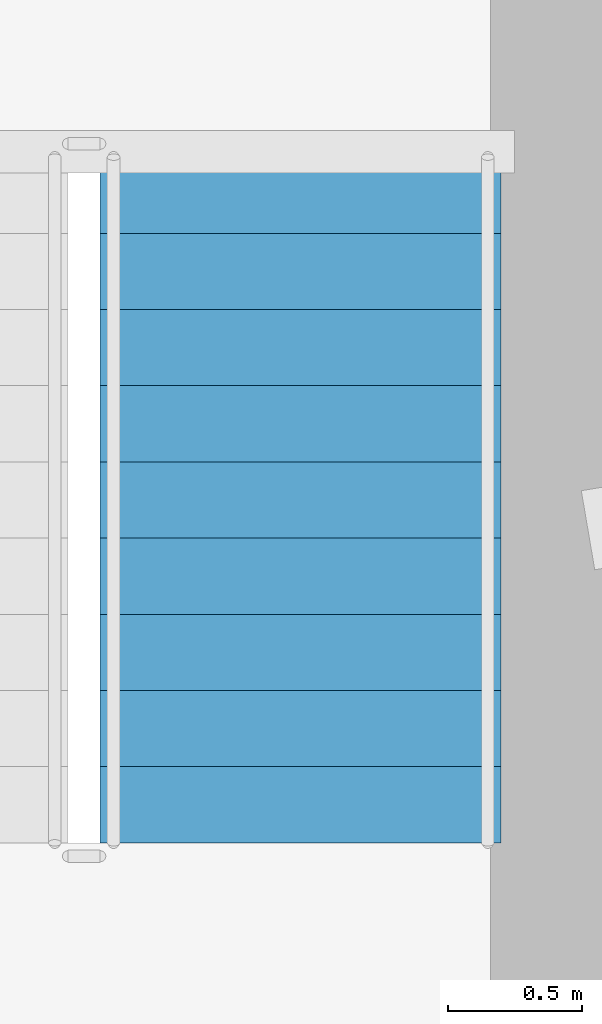
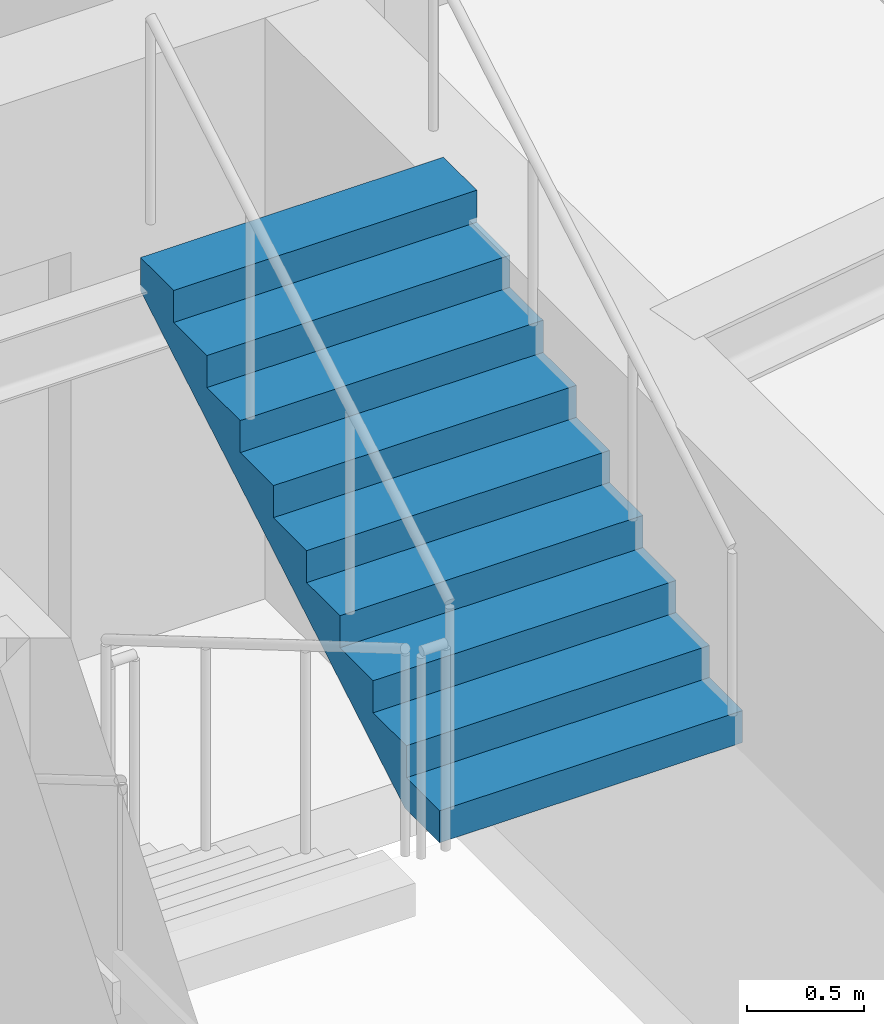
# One storey, part 9 of 11: 1 stair flight, 1 element without a shape of its own.
"""IFC4 building model written with IfcOpenShell, lengths in metres."""

from ifc_helpers import new_model, si_unit, direction, frame, origin, place, context, subcontext, project, spatial, polyline, outline, extrude, material, type_object, element, aggregate, save


model = new_model("IFC4")

# Units and contexts
model_context = context("Model", 3, precision=1e-05, world=origin(), true_north=direction((0.0, 1.0)))
body_context = subcontext(model_context, "Body", "Model", "MODEL_VIEW")
ifc_project = project(units=[si_unit("LENGTHUNIT", "METRE"), si_unit("AREAUNIT", "SQUARE_METRE"), si_unit("VOLUMEUNIT", "CUBIC_METRE"), si_unit("PLANEANGLEUNIT", "RADIAN"), si_unit("MASSUNIT", "GRAM", prefix="KILO")], contexts=[model_context])

# Site, building, storey
site_placement = place(None, origin())
site = spatial("IfcSite", under=ifc_project, at=site_placement, CompositionType="ELEMENT")
building_placement = place(site_placement, origin())
building = spatial("IfcBuilding", under=site, at=building_placement, Name="Qobustan Lattice House", CompositionType="ELEMENT")
storey_placement = place(building_placement, frame((0.0, 0.0, 251.75)))
storey = spatial("IfcBuildingStorey", under=building, at=storey_placement, Name="L71", CompositionType="ELEMENT", Elevation=251.75)

# Stair, stair flight
ifc_material_1 = material(Name="Concrete C40/50", Category="concrete")
stair_type = type_object("IfcStairType", Name="STR-CORE-DOGLEG", PredefinedType="HALF_TURN_STAIR", material=ifc_material_1)
stair_placement = place(storey_placement, origin())
stair = element("IfcStair", 1, at=stair_placement, inside=storey, type_object=stair_type, Name="L71 East protected exit stair ST-E1", PredefinedType="HALF_TURN_STAIR")
ifc_material_2 = material(Name="Concrete C40/50", Category="concrete")
stair_flight_type = type_object("IfcStairFlightType", Name="SFL-RC-1500", PredefinedType="STRAIGHT", material=ifc_material_2)
stair_flight_placement = place(storey_placement, frame((17.5, 0.93505859375, 1.675048828125), z_axis=(0.0, 0.0, 1.0), x_axis=(0.0, 1.0, 0.0)))
stair_flight = element("IfcStairFlight", 2, at=stair_flight_placement, type_object=stair_flight_type, Name="ST-E1 flight 2", NumberOfRisers=10, NumberOfTreads=9, PredefinedType="STRAIGHT", RiserHeight=0.1675, TreadLength=0.285, context=body_context, shape_type="SweptSolid", body=[
    extrude(outline(polyline([(0.0, 0.0), (0.0, 0.16748046875), (0.284912109375, 0.16748046875), (0.284912109375, 0.3349609375), (0.570068359375, 0.3349609375), (0.570068359375, 0.50244140625), (0.85498046875, 0.50244140625), (0.85498046875, 0.669921875), (1.139892578125, 0.669921875), (1.139892578125, 0.83740234375), (1.425048828125, 0.83740234375), (1.425048828125, 1.0048828125), (1.7099609375, 1.0048828125), (1.7099609375, 1.172607421875), (1.9951171875, 1.172607421875), (1.9951171875, 1.340087890625), (2.280029296875, 1.340087890625), (2.280029296875, 1.507568359375), (2.56494140625, 1.507568359375), (2.56494140625, 1.675048828125), (2.56494140625, 1.333740234375), (0.2958984375, 0.0), (0.0, 0.0)])), frame((0.0, 0.75, 0.0), z_axis=(0.0, -1.0, 0.0), x_axis=(1.0, 0.0, 0.0)), (0.0, 0.0, 1.0), 1.5),
])
aggregate(stair, [stair_flight])

save(model, "model.ifc")
